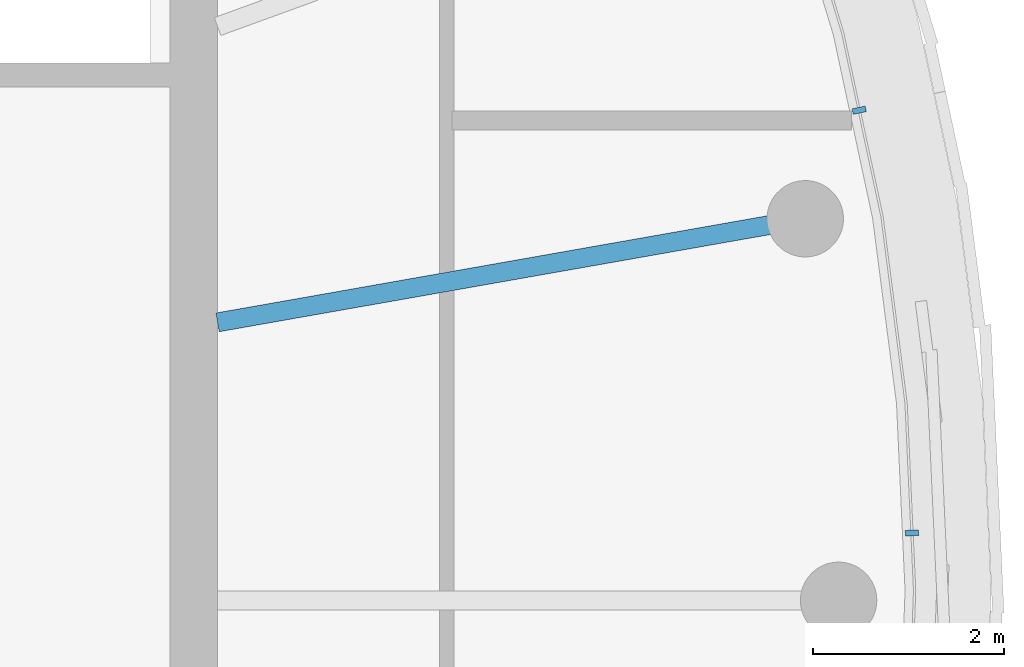
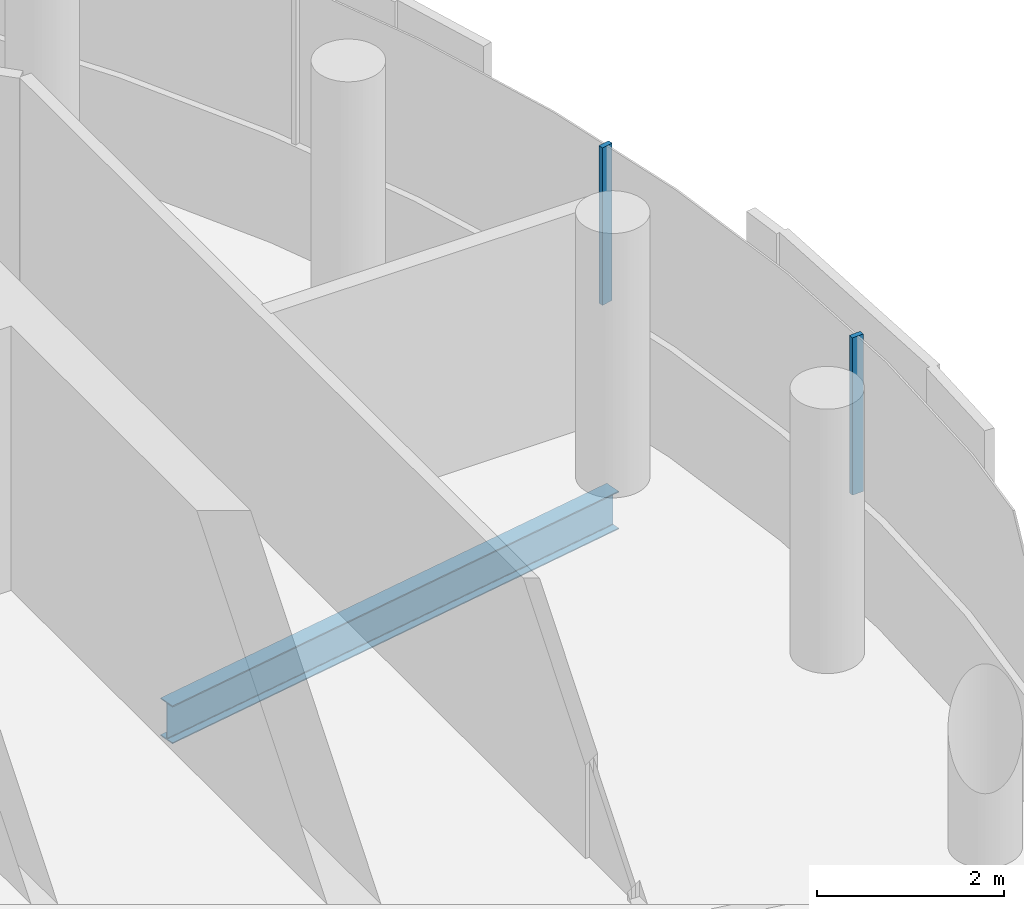
# One storey, part 8 of 21: 2 members, 1 beam, 1 element without a shape of its own.
"""IFC4 building model written with IfcOpenShell, lengths in metres."""

from ifc_helpers import new_model, si_unit, direction, frame, origin, origin_2d, place, context, subcontext, project, spatial, rectangle, i_section, extrude, material, layer, layer_set, material_profile, profile_set, type_object, element, aggregate, save


model = new_model("IFC4")

# Units and contexts
model_context = context("Model", 3, precision=1e-05, world=origin(), true_north=direction((0.0, 1.0)))
body_context = subcontext(model_context, "Body", "Model", "MODEL_VIEW")
ifc_project = project(units=[si_unit("LENGTHUNIT", "METRE"), si_unit("AREAUNIT", "SQUARE_METRE"), si_unit("VOLUMEUNIT", "CUBIC_METRE"), si_unit("PLANEANGLEUNIT", "RADIAN"), si_unit("MASSUNIT", "GRAM", prefix="KILO")], contexts=[model_context])

# Site, building, storey
site_placement = place(None, origin())
site = spatial("IfcSite", under=ifc_project, at=site_placement, CompositionType="ELEMENT")
building_placement = place(site_placement, origin())
building = spatial("IfcBuilding", under=site, at=building_placement, Name="Tamarind Cross Interchange Tower", CompositionType="ELEMENT")
storey_placement = place(building_placement, frame((0.0, 0.0, 267.60009765625)))
storey = spatial("IfcBuildingStorey", under=building, at=storey_placement, Name="L68", CompositionType="ELEMENT", Elevation=267.60009765625)

# Beam
ifc_material_1 = material(Name="Steel Q355B", Category="steel")
ifc_material_profile_1 = material_profile(ifc_material_1, i_section(OverallWidth=0.198974609375, OverallDepth=0.49609375, WebThickness=0.009033203125, FlangeThickness=0.013916015625, FilletRadius=0.012939453125, at=origin_2d()), Name="HN 496x199x9x14")
ifc_profile_set_1 = profile_set([ifc_material_profile_1], Name="Steel Q355B")
beam_type = type_object("IfcBeamType", Name="Composite beam HN 496x199x9x14 Q355B", PredefinedType="BEAM", material=ifc_profile_set_1)
beam_placement = place(storey_placement, frame((22.650634765625, 3.993896484375, -0.38818359375), z_axis=(-0.984809127561, -0.173640382036, 0.0), x_axis=(0.173640382036, -0.984809127561, 0.0)))
element("IfcBeam", 1, at=beam_placement, inside=storey, type_object=beam_type, Name="Beam HH01", PredefinedType="BEAM", context=body_context, shape_type="SweptSolid", body=[
    extrude(i_section(OverallWidth=0.198974609375, OverallDepth=0.49609375, WebThickness=0.009033203125, FlangeThickness=0.013916015625, FilletRadius=0.012939453125, at=origin_2d()), origin(), (0.0, 0.0, 1.0), 6.24560546875),
])

# Curtain wall, members
ifc_material_2 = material(Name="Aluminium 6063-T6", Category="aluminium")
ifc_layer = layer(ifc_material_2, 0.139892578125)
ifc_layer_set = layer_set([ifc_layer], Name="Aluminium 6063-T6")
curtain_wall_type = type_object("IfcCurtainWallType", Name="Hotel curtain wall, 4.5 m bays", PredefinedType="NOTDEFINED", material=ifc_layer_set)
curtain_wall_placement = place(storey_placement, origin())
curtain_wall = element("IfcCurtainWall", 2, at=curtain_wall_placement, inside=storey, type_object=curtain_wall_type, Name="CWS-L68-01", PredefinedType="NOTDEFINED")
ifc_material_profile_2 = material_profile(ifc_material_2, rectangle(XDim=0.06005859375, YDim=0.139892578125, at=origin_2d()), Name="Mullion CW2")
ifc_profile_set_2 = profile_set([ifc_material_profile_2], Name="Aluminium 6063-T6")
member_type = type_object("IfcMemberType", Name="Mullion CW2", PredefinedType="MULLION", material=ifc_profile_set_2)
member_1_placement = place(storey_placement, frame((23.76806640625, 0.705322265625, 1.39990234375), z_axis=(0.0, 0.0, 1.0), x_axis=(-0.045624486728, 0.998958660912, 0.0)))
member_1 = element("IfcMember", 3, at=member_1_placement, type_object=member_type, Name="CWM-L68-01-22", PredefinedType="MULLION", context=body_context, shape_type="SweptSolid", body=[
    extrude(rectangle(XDim=0.06005859375, YDim=0.139892578125, at=origin_2d()), origin(), (0.0, 0.0, 1.0), 2.06005859375),
])
member_2_placement = place(storey_placement, frame((23.216064453125, 5.1298828125, 1.39990234375), z_axis=(0.0, 0.0, 1.0), x_axis=(-0.209425419705, 0.977824623121, 0.0)))
member_2 = element("IfcMember", 4, at=member_2_placement, type_object=member_type, Name="CWM-L68-01-23", PredefinedType="MULLION", context=body_context, shape_type="SweptSolid", body=[
    extrude(rectangle(XDim=0.06005859375, YDim=0.139892578125, at=origin_2d()), origin(), (0.0, 0.0, 1.0), 2.06005859375),
])
aggregate(curtain_wall, [member_1, member_2])

save(model, "model.ifc")
